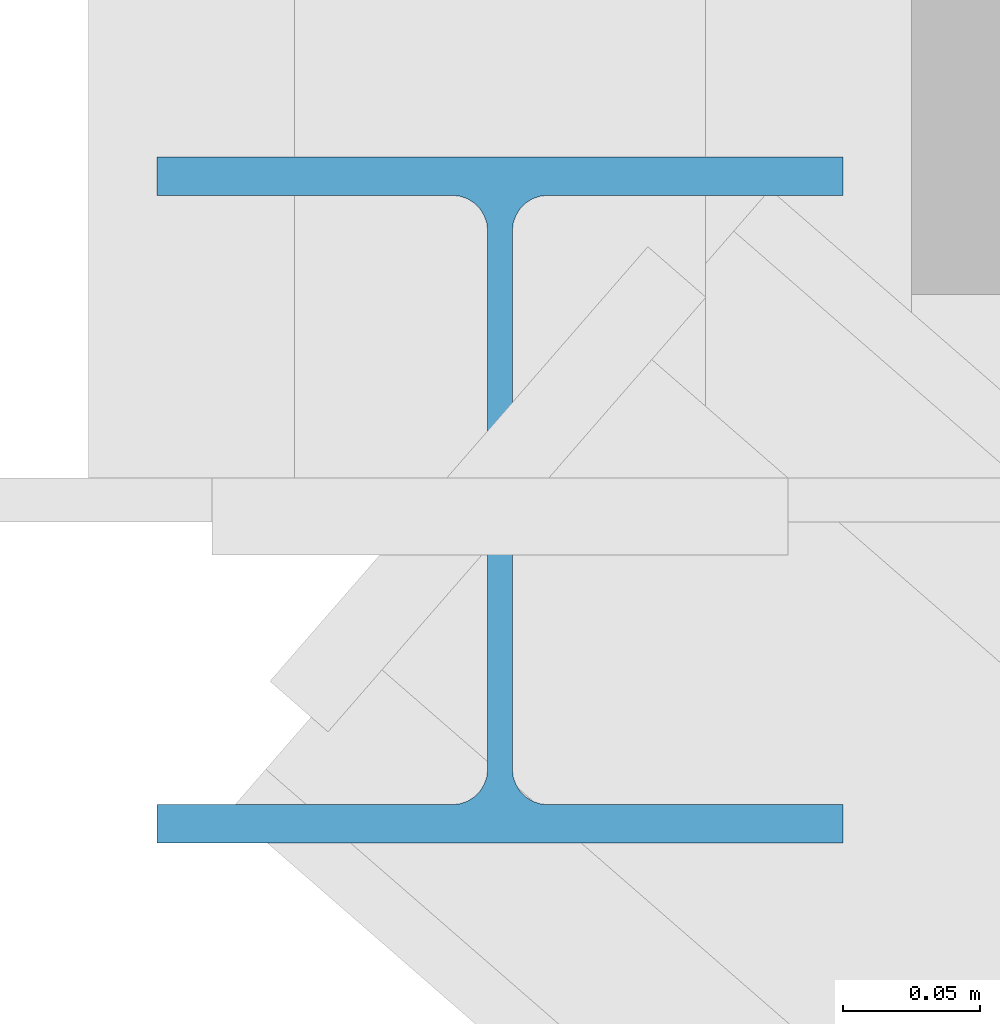
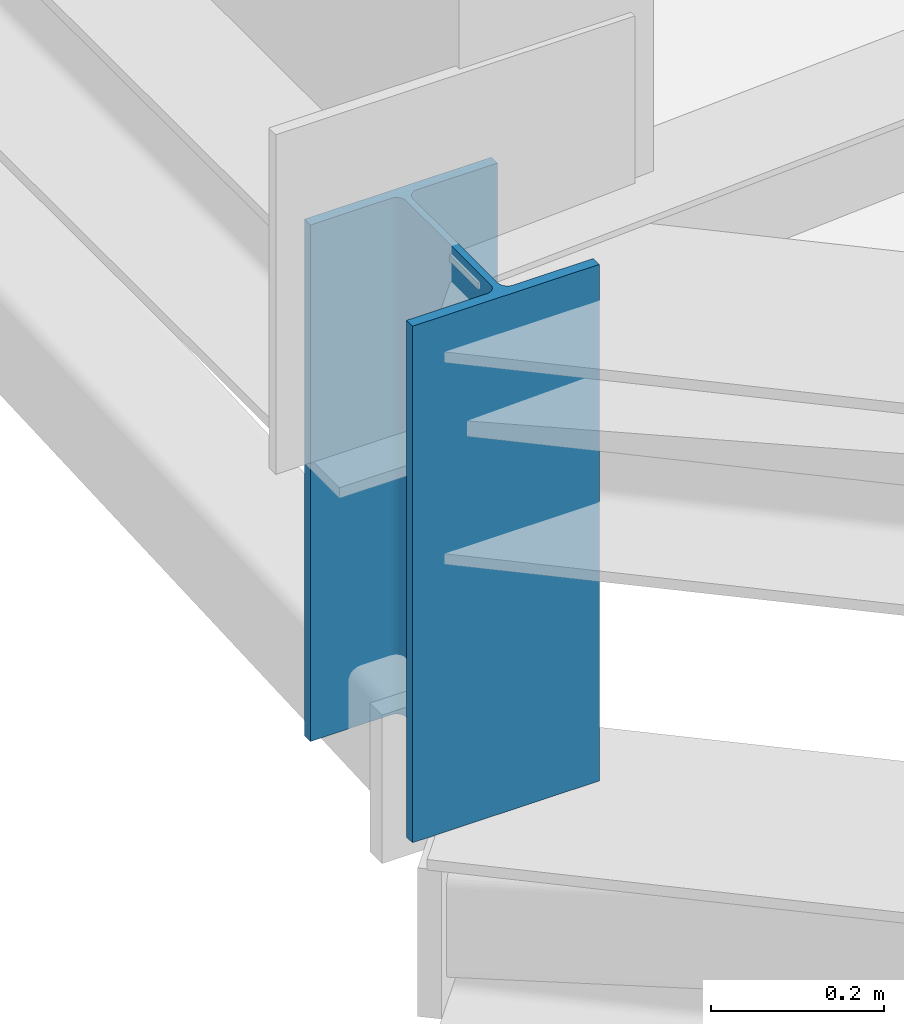
# One storey, part 40 of 77: 1 member.
"""IFC4 building model written with IfcOpenShell, lengths in metres."""

from ifc_helpers import new_model, si_unit, direction, frame, origin, origin_2d, place, context, subcontext, project, spatial, i_section, extrude, material, material_profile, profile_set, type_object, element, save


model = new_model("IFC4")

# Units and contexts
model_context = context("Model", 3, precision=1e-05, world=origin(), true_north=direction((0.0, 1.0)))
body_context = subcontext(model_context, "Body", "Model", "MODEL_VIEW")
ifc_project = project(units=[si_unit("LENGTHUNIT", "METRE"), si_unit("AREAUNIT", "SQUARE_METRE"), si_unit("VOLUMEUNIT", "CUBIC_METRE"), si_unit("PLANEANGLEUNIT", "RADIAN"), si_unit("MASSUNIT", "GRAM", prefix="KILO")], contexts=[model_context])

# Site, building, storey
site_placement = place(None, origin())
site = spatial("IfcSite", under=ifc_project, at=site_placement, CompositionType="ELEMENT")
building_placement = place(site_placement, origin())
building = spatial("IfcBuilding", under=site, at=building_placement, Name="Larkvane Passage Sports Hall", CompositionType="ELEMENT")
storey_placement = place(building_placement, frame((0.0, 0.0, 22.199951171875)))
storey = spatial("IfcBuildingStorey", under=building, at=storey_placement, Name="RF", CompositionType="ELEMENT", Elevation=22.199951171875)

# Member
ifc_material = material(Name="Steel S355JR", Category="steel")
ifc_material_profile = material_profile(ifc_material, i_section(OverallWidth=0.25, OverallDepth=0.25, WebThickness=0.009033203125, FlangeThickness=0.013916015625, FilletRadius=0.012939453125, at=origin_2d()), Name="H-250x250x9x14")
ifc_profile_set = profile_set([ifc_material_profile], Name="Steel S355JR")
member_type = type_object("IfcMemberType", Name="MBR-ST-H250", PredefinedType="STRUT", material=ifc_profile_set)
member_placement = place(storey_placement, frame((0.0, 51.60009765625, -0.550048828125), z_axis=(0.0, 0.0, 1.0), x_axis=(1.0, 0.0, 0.0)))
element("IfcMember", 1, at=member_placement, inside=storey, type_object=member_type, Name="Northwest hall roof eave strut STRUT5-RF-W3-S", PredefinedType="STRUT", context=body_context, shape_type="SweptSolid", body=[
    extrude(i_section(OverallWidth=0.25, OverallDepth=0.25, WebThickness=0.009033203125, FlangeThickness=0.013916015625, FilletRadius=0.012939453125, at=origin_2d()), origin(), (0.0, 0.0, 1.0), 0.72998046875),
])

save(model, "model.ifc")
